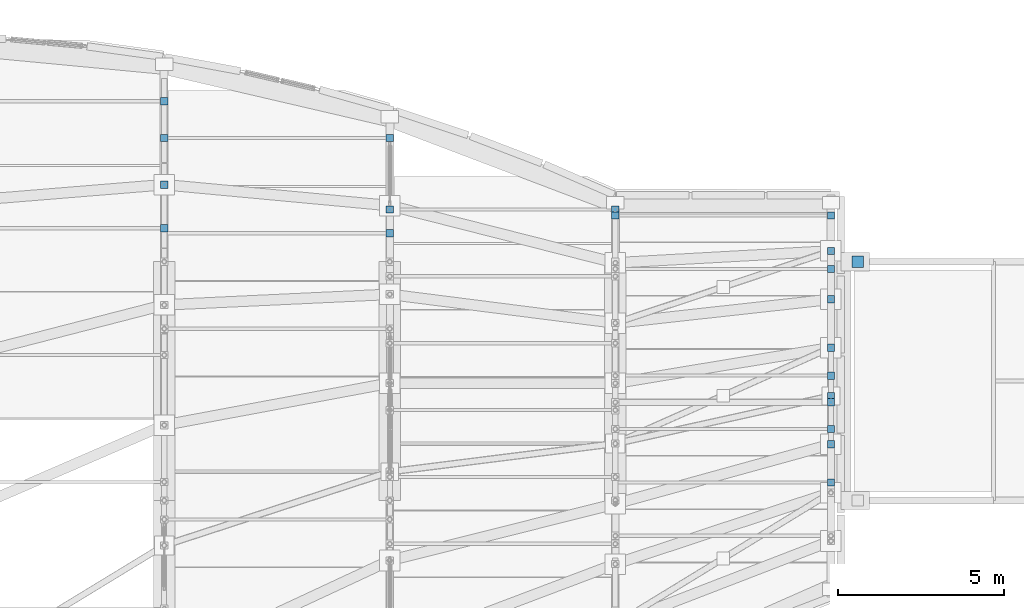
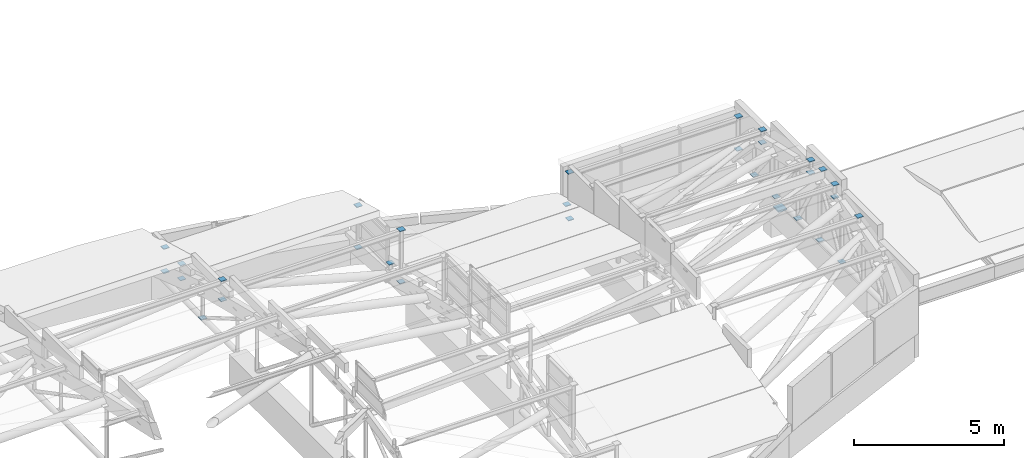
# One storey, part 180 of 188: 31 discrete accessories.
"""IFC4 building model written with IfcOpenShell, lengths in metres."""

from ifc_helpers import new_model, si_unit, direction, frame, origin, origin_2d, place, context, subcontext, project, spatial, rectangle, extrude, material, layer, layer_set, type_object, element, save


model = new_model("IFC4")

# Units and contexts
model_context = context("Model", 3, precision=1e-05, world=origin(), true_north=direction((0.0, 1.0)))
body_context = subcontext(model_context, "Body", "Model", "MODEL_VIEW")
ifc_project = project(units=[si_unit("LENGTHUNIT", "METRE"), si_unit("AREAUNIT", "SQUARE_METRE"), si_unit("VOLUMEUNIT", "CUBIC_METRE"), si_unit("PLANEANGLEUNIT", "RADIAN"), si_unit("MASSUNIT", "GRAM", prefix="KILO")], contexts=[model_context])

# Site, building, storey
site_placement = place(None, origin())
site = spatial("IfcSite", under=ifc_project, at=site_placement, CompositionType="ELEMENT")
building_placement = place(site_placement, origin())
building = spatial("IfcBuilding", under=site, at=building_placement, Name="Kisaragi Civic Commons", CompositionType="ELEMENT")
storey_placement = place(building_placement, frame((0.0, 0.0, 9.60009765625)))
storey = spatial("IfcBuildingStorey", under=building, at=storey_placement, Name="L02", CompositionType="ELEMENT", Elevation=9.60009765625)

# Discrete accessories
ifc_material = material(Name="Steel SN490 (SN490B)", Category="steel")
ifc_layer_1 = layer(ifc_material, 0.02392578125, Name="Steel SN490 (SN490B)", Category="steel")
ifc_layer_set_1 = layer_set([ifc_layer_1], Name="Steel SN490 (SN490B)")
discrete_accessory_type_1 = type_object("IfcDiscreteAccessoryType", Name="CN-01", PredefinedType="SHOE", material=ifc_layer_set_1)
for number, where, z_axis, x_axis, name in (
    (1, (34.0, 113.9208984375, -0.092041015625), (0.0, 0.0, 1.0), (1.0, 0.0, 0.0), "Brace/strut steel end connection 371"),
    (2, (54.10009765625, 106.0927734375, -0.092041015625), (0.0, 0.0, 1.0), (1.0, 0.0, 0.0), "Brace/strut steel end connection 388"),
    (3, (54.10009765625, 107.55029296875, -0.092041015625), (0.0, 0.0, 1.0), (1.0, 0.0, 0.0), "Brace/strut steel end connection 389"),
    (4, (54.10009765625, 109.0078125, -0.092041015625), (0.0, 0.0, 1.0), (1.0, 0.0, 0.0), "Brace/strut steel end connection 390"),
    (5, (54.10009765625, 110.465087890625, -0.092041015625), (0.0, 0.0, 1.0), (1.0, 0.0, 0.0), "Brace/strut steel end connection 391"),
    (6, (54.10009765625, 111.922607421875, -0.092041015625), (0.0, 0.0, 1.0), (1.0, 0.0, 0.0), "Brace/strut steel end connection 392"),
    (7, (34.0, 112.608154296875, 1.453125), (0.0, 0.0, 1.0), (1.0, 0.0, 0.0), "Brace/strut steel end connection 557"),
    (8, (34.0, 112.608154296875, 2.274169921875), (0.0, 0.0, 1.0), (1.0, 0.0, 0.0), "Brace/strut steel end connection 558"),
    (9, (34.0, 116.433349609375, 0.281982421875), (0.0, 0.0, 1.0), (1.0, 0.0, 0.0), "Brace/strut steel end connection 560"),
    (10, (34.0, 116.433349609375, 1.263916015625), (0.0, 0.0, 1.0), (1.0, 0.0, 0.0), "Brace/strut steel end connection 561"),
    (11, (40.800048828125, 112.451904296875, -0.108642578125), (0.0, 0.0, 1.0), (1.0, 0.0, 0.0), "Brace/strut steel end connection 581"),
    (12, (40.800048828125, 112.451904296875, 2.021240234375), (0.0, 0.0, 1.0), (1.0, 0.0, 0.0), "Brace/strut steel end connection 582"),
    (13, (34.0, 115.32666015625, 0.654052734375), (0.0, 0.0, 1.0), (1.0, 0.0, 0.0), "Brace/strut steel end connection 583"),
    (14, (34.0, 115.32666015625, 1.26123046875), (0.0, 0.0, 1.0), (1.0, 0.0, 0.0), "Brace/strut steel end connection 584"),
    (15, (40.800048828125, 115.32666015625, -0.454833984375), (0.0, 0.0, 1.0), (1.0, 0.0, 0.0), "Brace/strut steel end connection 585"),
    (16, (40.800048828125, 115.32666015625, 1.26123046875), (0.0, 0.0, 1.0), (1.0, 0.0, 0.0), "Brace/strut steel end connection 586"),
    (17, (40.800048828125, 113.172119140625, 0.226806640625), (0.0, 0.0, 1.0), (1.0, 0.0, 0.0), "Brace/strut steel end connection 611"),
    (18, (47.60009765625, 113.172119140625, 0.226806640625), (0.0, 0.0, 1.0), (1.0, 0.0, 0.0), "Brace/strut steel end connection 612"),
    (19, (54.10009765625, 107.357421875, 2.905029296875), (0.0, 0.0, 1.0), (1.0, 0.0, 0.0), "Brace/strut steel end connection 614"),
    (20, (54.10009765625, 104.943603515625, 2.462890625), (0.0, 0.0, 1.0), (1.0, 0.0, 0.0), "Brace/strut steel end connection 617"),
    (21, (54.10009765625, 106.552734375, 2.2685546875), (0.0, 0.0, 1.0), (1.0, 0.0, 0.0), "Brace/strut steel end connection 620"),
    (22, (54.10009765625, 106.552734375, 2.80126953125), (0.0, 0.0, 1.0), (1.0, 0.0, 0.0), "Brace/strut steel end connection 621"),
    (23, (54.10009765625, 108.161865234375, 2.288330078125), (0.0, 0.0, 1.0), (1.0, 0.0, 0.0), "Brace/strut steel end connection 623"),
    (24, (54.10009765625, 108.161865234375, 2.80126953125), (0.0, 0.0, 1.0), (1.0, 0.0, 0.0), "Brace/strut steel end connection 624"),
    (25, (54.10009765625, 111.38037109375, 1.561279296875), (0.0, 0.0, 1.0), (1.0, 0.0, 0.0), "Brace/strut steel end connection 626"),
    (26, (54.10009765625, 111.38037109375, 2.0810546875), (0.0, 0.0, 1.0), (1.0, 0.0, 0.0), "Brace/strut steel end connection 627"),
    (27, (47.60009765625, 112.989501953125, -0.248779296875), (0.0, 0.0, 1.0), (1.0, 0.0, 0.0), "Brace/strut steel end connection 628"),
    (28, (47.60009765625, 112.989501953125, 1.654052734375), (0.0, 0.0, 1.0), (1.0, 0.0, 0.0), "Brace/strut steel end connection 629"),
    (29, (54.10009765625, 112.989501953125, 0.314453125), (0.0, 0.0, 1.0), (1.0, 0.0, 0.0), "Brace/strut steel end connection 630"),
    (30, (54.10009765625, 112.989501953125, 1.654052734375), (0.0, 0.0, 1.0), (1.0, 0.0, 0.0), "Brace/strut steel end connection 631"),
):
    element("IfcDiscreteAccessory", number, at=place(storey_placement, frame(where, z_axis=z_axis, x_axis=x_axis)), inside=storey, type_object=discrete_accessory_type_1, Name=name, PredefinedType="SHOE", context=body_context, shape_type="SweptSolid", body=[
        extrude(rectangle(XDim=0.219970703125, YDim=0.219970703125, at=origin_2d()), origin(), (0.0, 0.0, 1.0), 0.02392578125),
    ])
ifc_layer_2 = layer(ifc_material, 0.06494140625, Name="Steel SN490 (SN490B)", Category="steel")
ifc_layer_set_2 = layer_set([ifc_layer_2], Name="Steel SN490 (SN490B)")
discrete_accessory_type_2 = type_object("IfcDiscreteAccessoryType", Name="SB-01", PredefinedType="USERDEFINED", material=ifc_layer_set_2)
discrete_accessory_placement = place(storey_placement, frame((54.909912109375, 111.60009765625, -1.55517578125), z_axis=(0.0, 0.0, 1.0), x_axis=(1.0, 0.0, 0.0)))
element("IfcDiscreteAccessory", 31, at=discrete_accessory_placement, inside=storey, type_object=discrete_accessory_type_2, Name="PTFE sliding bearing SB-01 6", ObjectType="SLIDING BEARING", PredefinedType="USERDEFINED", context=body_context, shape_type="SweptSolid", body=[
    extrude(rectangle(XDim=0.340087890625, YDim=0.340087890625, at=origin_2d()), origin(), (0.0, 0.0, 1.0), 0.06494140625),
])

save(model, "model.ifc")
